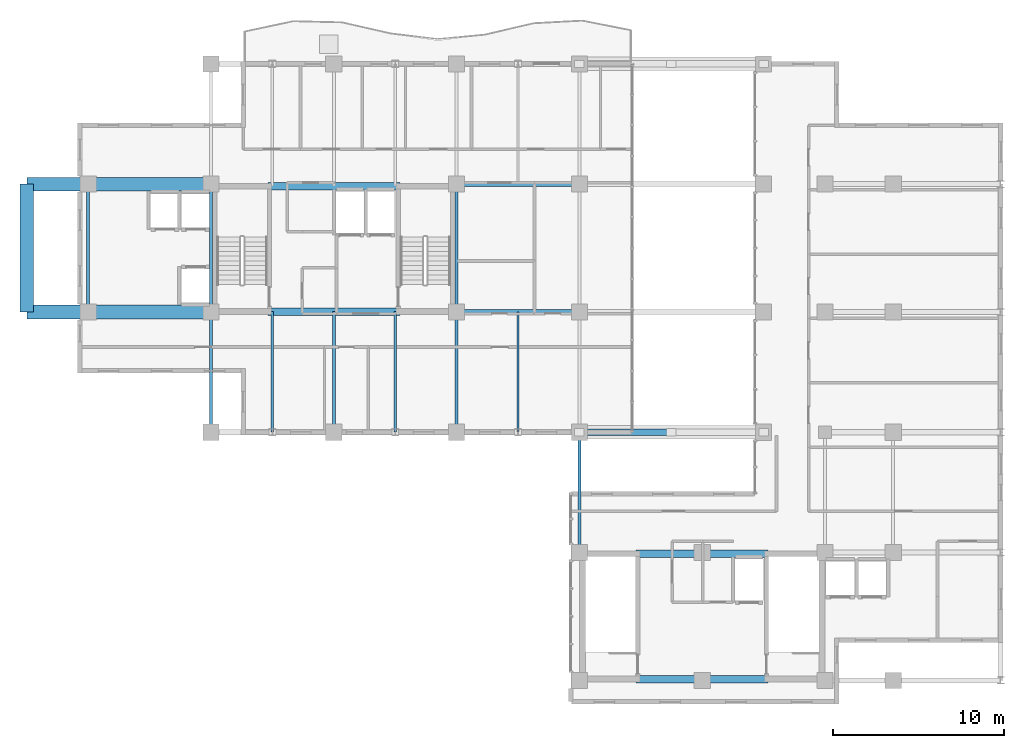
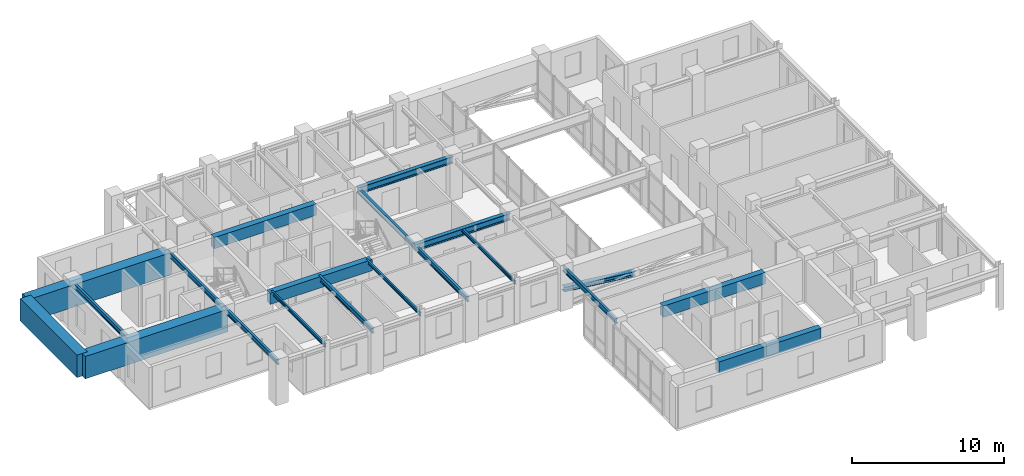
# One storey, part 7 of 23: 19 beams, 1 member.
"""IFC4 building model written with IfcOpenShell, lengths in metres."""

from ifc_helpers import new_model, si_unit, direction, frame, origin, origin_2d, place, context, subcontext, project, spatial, rectangle, i_section, extrude, source, transform, mapped, material, material_profile, profile_set, type_object, element, save


model = new_model("IFC4")

# Units and contexts
model_context = context("Model", 3, precision=1e-05, world=origin(), true_north=direction((0.0, 1.0)))
body_context = subcontext(model_context, "Body", "Model", "MODEL_VIEW")
ifc_project = project(units=[si_unit("LENGTHUNIT", "METRE"), si_unit("AREAUNIT", "SQUARE_METRE"), si_unit("VOLUMEUNIT", "CUBIC_METRE"), si_unit("PLANEANGLEUNIT", "RADIAN"), si_unit("MASSUNIT", "GRAM", prefix="KILO")], contexts=[model_context])

# Site, building, storey
site_placement = place(None, origin())
site = spatial("IfcSite", under=ifc_project, at=site_placement, CompositionType="ELEMENT")
building_placement = place(site_placement, origin())
building = spatial("IfcBuilding", under=site, at=building_placement, Name="Kaliganga Portal Commons", CompositionType="ELEMENT")
storey_placement = place(building_placement, frame((0.0, 0.0, 246.199951171875)))
storey = spatial("IfcBuildingStorey", under=building, at=storey_placement, Name="L63", CompositionType="ELEMENT", Elevation=246.199951171875)

# Beams
ifc_material_1 = material(Name="Concrete C50/60", Category="concrete")
ifc_material_profile_1 = material_profile(ifc_material_1, rectangle(XDim=0.449951171875, YDim=0.89990234375, at=origin_2d()), Name="RC 450x900")
ifc_profile_set_1 = profile_set([ifc_material_profile_1], Name="Concrete C50/60")
beam_type_1 = type_object("IfcBeamType", Name="BM-CPL-900", PredefinedType="LINTEL", material=ifc_profile_set_1)
shared_shape_1 = source(origin(), body_context, "Body", "SweptSolid", [
    extrude(rectangle(XDim=0.449951171875, YDim=0.89990234375, at=origin_2d()), origin(), (0.0, 0.0, 1.0), 7.739990234375),
])
for number, where, z_axis, x_axis, name in (
    (1, (17.72998046875, 28.675048828125, 2.830078125), (1.0, 0.0, 0.0), (0.0, 1.0, 0.0), "BM CPL COREA L63 S"),
    (2, (17.72998046875, 36.02490234375, 2.830078125), (1.0, 0.0, 0.0), (0.0, 1.0, 0.0), "BM CPL COREA L63 N"),
    (3, (39.330078125, 7.125, 2.830078125), (1.0, 0.0, 0.0), (0.0, 1.0, 0.0), "BM CPL COREB L63 S"),
    (4, (39.330078125, 14.47509765625, 2.830078125), (1.0, 0.0, 0.0), (0.0, 1.0, 0.0), "BM CPL COREB L63 N"),
):
    element("IfcBeam", number, at=place(storey_placement, frame(where, z_axis=z_axis, x_axis=x_axis)), inside=storey, type_object=beam_type_1, Name=name, PredefinedType="LINTEL", context=body_context, shape_type="MappedRepresentation", body=[
        mapped(shared_shape_1, transform((0.0, 0.0, 0.0), x_axis=(1.0, 0.0, 0.0), y_axis=(0.0, 1.0, 0.0), z_axis=(0.0, 0.0, 1.0), scale=1.0)),
    ])
ifc_material_2 = material(Name="Concrete C70/85", Category="concrete")
ifc_material_profile_2 = material_profile(ifc_material_2, rectangle(XDim=0.800048828125, YDim=1.800048828125, at=origin_2d()), Name="RC 800x1800")
ifc_profile_set_2 = profile_set([ifc_material_profile_2], Name="Concrete C70/85")
beam_type_2 = type_object("IfcBeamType", Name="BM-XFER-1800", PredefinedType="T_BEAM", material=ifc_profile_set_2)
shared_shape_2 = source(origin(), body_context, "Body", "SweptSolid", [
    extrude(rectangle(XDim=0.800048828125, YDim=1.800048828125, at=origin_2d()), origin(), (0.0, 0.0, 1.0), 7.5),
])
beam_1_placement = place(storey_placement, frame((3.60009765625, 28.64990234375, 2.380126953125), z_axis=(0.0, 1.0, 0.0), x_axis=(-1.0, 0.0, 0.0)))
element("IfcBeam", 5, at=beam_1_placement, inside=storey, type_object=beam_type_2, Name="BM PORTAL XFERWS", PredefinedType="T_BEAM", context=body_context, shape_type="MappedRepresentation", body=[
    mapped(shared_shape_2, transform((0.0, 0.0, 0.0), x_axis=(1.0, 0.0, 0.0), y_axis=(0.0, 1.0, 0.0), z_axis=(0.0, 0.0, 1.0), scale=1.0)),
])
ifc_material_3 = material(Name="Structural steel S355J2", Category="steel")
ifc_material_profile_3 = material_profile(ifc_material_3, i_section(OverallWidth=0.300048828125, OverallDepth=0.550048828125, WebThickness=0.014892578125, FlangeThickness=0.029052734375, FilletRadius=0.027099609375, at=origin_2d()), Name="HE 550 B")
ifc_profile_set_3 = profile_set([ifc_material_profile_3], Name="Structural steel S355J2 wide-flange")
beam_type_3 = type_object("IfcBeamType", Name="BM-GIRD-550", PredefinedType="USERDEFINED", material=ifc_profile_set_3)
shared_shape_3 = source(origin(), body_context, "Body", "SweptSolid", [
    extrude(i_section(OverallWidth=0.300048828125, OverallDepth=0.550048828125, WebThickness=0.014892578125, FlangeThickness=0.029052734375, FilletRadius=0.027099609375, at=origin_2d()), origin(), (0.0, 0.0, 1.0), 7.199951171875),
])
for number, where, z_axis, x_axis, name in (
    (6, (28.800048828125, 28.64990234375, 3.005126953125), (1.0, 0.0, 0.0), (0.0, 1.0, 0.0), "BM G L63 WAE_S 1"),
    (7, (28.800048828125, 36.14990234375, 3.005126953125), (1.0, 0.0, 0.0), (0.0, 1.0, 0.0), "BM G L63 WAE_N 1"),
):
    element("IfcBeam", number, at=place(storey_placement, frame(where, z_axis=z_axis, x_axis=x_axis)), inside=storey, type_object=beam_type_3, Name=name, ObjectType="GIRDER", PredefinedType="USERDEFINED", context=body_context, shape_type="MappedRepresentation", body=[
        mapped(shared_shape_3, transform((0.0, 0.0, 0.0), x_axis=(1.0, 0.0, 0.0), y_axis=(0.0, 1.0, 0.0), z_axis=(0.0, 0.0, 1.0), scale=1.0)),
    ])
ifc_material_profile_4 = material_profile(ifc_material_3, i_section(OverallWidth=0.135009765625, OverallDepth=0.27001953125, WebThickness=0.006591796875, FlangeThickness=0.01025390625, FilletRadius=0.014892578125, at=origin_2d()), Name="IPE 270")
ifc_profile_set_4 = profile_set([ifc_material_profile_4], Name="Structural steel S355J2 wide-flange")
beam_type_4 = type_object("IfcBeamType", Name="BM-JST-270", PredefinedType="JOIST", material=ifc_profile_set_4)
shared_shape_4 = source(origin(), body_context, "Body", "SweptSolid", [
    extrude(i_section(OverallWidth=0.135009765625, OverallDepth=0.27001953125, WebThickness=0.006591796875, FlangeThickness=0.01025390625, FilletRadius=0.014892578125, at=origin_2d()), origin(), (0.0, 0.0, 1.0), 7.074951171875),
])
for number, where, z_axis, x_axis, name in (
    (8, (18.0, 21.60009765625, 3.14501953125), (0.0, 1.0, 0.0), (-1.0, 0.0, 0.0), "BM G L63 AS180"),
    (9, (25.199951171875, 21.60009765625, 3.14501953125), (0.0, 1.0, 0.0), (-1.0, 0.0, 0.0), "BM G L63 AS252"),
):
    element("IfcBeam", number, at=place(storey_placement, frame(where, z_axis=z_axis, x_axis=x_axis)), inside=storey, type_object=beam_type_4, Name=name, PredefinedType="JOIST", context=body_context, shape_type="MappedRepresentation", body=[
        mapped(shared_shape_4, transform((0.0, 0.0, 0.0), x_axis=(1.0, 0.0, 0.0), y_axis=(0.0, 1.0, 0.0), z_axis=(0.0, 0.0, 1.0), scale=1.0)),
    ])
shared_shape_5 = source(origin(), body_context, "Body", "SweptSolid", [
    extrude(i_section(OverallWidth=0.135009765625, OverallDepth=0.27001953125, WebThickness=0.006591796875, FlangeThickness=0.01025390625, FilletRadius=0.014892578125, at=origin_2d()), origin(), (0.0, 0.0, 1.0), 7.0498046875),
])
beam_2_placement = place(storey_placement, frame((32.39990234375, 21.60009765625, 3.14501953125), z_axis=(0.0, 1.0, 0.0), x_axis=(-1.0, 0.0, 0.0)))
element("IfcBeam", 10, at=beam_2_placement, inside=storey, type_object=beam_type_4, Name="BM G L63 AS324", PredefinedType="JOIST", context=body_context, shape_type="MappedRepresentation", body=[
    mapped(shared_shape_5, transform((0.0, 0.0, 0.0), x_axis=(1.0, 0.0, 0.0), y_axis=(0.0, 1.0, 0.0), z_axis=(0.0, 0.0, 1.0), scale=1.0)),
])
ifc_material_profile_5 = material_profile(ifc_material_3, i_section(OverallWidth=0.179931640625, OverallDepth=0.39990234375, WebThickness=0.008544921875, FlangeThickness=0.013427734375, FilletRadius=0.02099609375, at=origin_2d()), Name="IPE 400")
ifc_profile_set_5 = profile_set([ifc_material_profile_5], Name="Structural steel S355J2 wide-flange")
beam_type_5 = type_object("IfcBeamType", Name="BM-FLR-400", PredefinedType="BEAM", material=ifc_profile_set_5)
shared_shape_6 = source(origin(), body_context, "Body", "SweptSolid", [
    extrude(i_section(OverallWidth=0.179931640625, OverallDepth=0.39990234375, WebThickness=0.008544921875, FlangeThickness=0.013427734375, FilletRadius=0.02099609375, at=origin_2d()), origin(), (0.0, 0.0, 1.0), 7.5),
])
for number, where, z_axis, x_axis, name in (
    (11, (7.199951171875, 28.64990234375, 3.080078125), (0.0, 1.0, 0.0), (-1.0, 0.0, 0.0), "BM G L63 AW72"),
    (12, (14.39990234375, 28.64990234375, 3.080078125), (0.0, 1.0, 0.0), (-1.0, 0.0, 0.0), "BM G L63 AM144"),
    (13, (28.800048828125, 28.64990234375, 3.080078125), (0.0, 1.0, 0.0), (-1.0, 0.0, 0.0), "BM G L63 AM288"),
):
    element("IfcBeam", number, at=place(storey_placement, frame(where, z_axis=z_axis, x_axis=x_axis)), inside=storey, type_object=beam_type_5, Name=name, PredefinedType="BEAM", context=body_context, shape_type="MappedRepresentation", body=[
        mapped(shared_shape_6, transform((0.0, 0.0, 0.0), x_axis=(1.0, 0.0, 0.0), y_axis=(0.0, 1.0, 0.0), z_axis=(0.0, 0.0, 1.0), scale=1.0)),
    ])
shared_shape_7 = source(origin(), body_context, "Body", "SweptSolid", [
    extrude(i_section(OverallWidth=0.179931640625, OverallDepth=0.39990234375, WebThickness=0.008544921875, FlangeThickness=0.013427734375, FilletRadius=0.02099609375, at=origin_2d()), origin(), (0.0, 0.0, 1.0), 7.050048828125),
])
beam_3_placement = place(storey_placement, frame((36.0, 14.550048828125, 3.080078125), z_axis=(0.0, 1.0, 0.0), x_axis=(-1.0, 0.0, 0.0)))
element("IfcBeam", 14, at=beam_3_placement, inside=storey, type_object=beam_type_5, Name="BM G L63 BNK360", PredefinedType="BEAM", context=body_context, shape_type="MappedRepresentation", body=[
    mapped(shared_shape_7, transform((0.0, 0.0, 0.0), x_axis=(1.0, 0.0, 0.0), y_axis=(0.0, 1.0, 0.0), z_axis=(0.0, 0.0, 1.0), scale=1.0)),
])
shared_shape_8 = source(origin(), body_context, "Body", "SweptSolid", [
    extrude(i_section(OverallWidth=0.179931640625, OverallDepth=0.39990234375, WebThickness=0.008544921875, FlangeThickness=0.013427734375, FilletRadius=0.02099609375, at=origin_2d()), origin(), (0.0, 0.0, 1.0), 7.0498046875),
])
for number, where, z_axis, x_axis, name in (
    (15, (14.39990234375, 21.60009765625, 3.080078125), (0.0, 1.0, 0.0), (-1.0, 0.0, 0.0), "BM G L63 AS144"),
    (16, (28.800048828125, 21.60009765625, 3.080078125), (0.0, 1.0, 0.0), (-1.0, 0.0, 0.0), "BM G L63 AS288"),
):
    element("IfcBeam", number, at=place(storey_placement, frame(where, z_axis=z_axis, x_axis=x_axis)), inside=storey, type_object=beam_type_5, Name=name, PredefinedType="BEAM", context=body_context, shape_type="MappedRepresentation", body=[
        mapped(shared_shape_8, transform((0.0, 0.0, 0.0), x_axis=(1.0, 0.0, 0.0), y_axis=(0.0, 1.0, 0.0), z_axis=(0.0, 0.0, 1.0), scale=1.0)),
    ])
shared_shape_9 = source(origin(), body_context, "Body", "SweptSolid", [
    extrude(i_section(OverallWidth=0.179931640625, OverallDepth=0.39990234375, WebThickness=0.008544921875, FlangeThickness=0.013427734375, FilletRadius=0.02099609375, at=origin_2d()), origin(), (0.0, 0.0, 1.0), 7.074951171875),
])
beam_4_placement = place(storey_placement, frame((21.60009765625, 21.60009765625, 3.080078125), z_axis=(0.0, 1.0, 0.0), x_axis=(-1.0, 0.0, 0.0)))
element("IfcBeam", 17, at=beam_4_placement, inside=storey, type_object=beam_type_5, Name="BM G L63 AS216", PredefinedType="BEAM", context=body_context, shape_type="MappedRepresentation", body=[
    mapped(shared_shape_9, transform((0.0, 0.0, 0.0), x_axis=(1.0, 0.0, 0.0), y_axis=(0.0, 1.0, 0.0), z_axis=(0.0, 0.0, 1.0), scale=1.0)),
])
shared_shape_10 = source(origin(), body_context, "Body", "SweptSolid", [
    extrude(rectangle(XDim=0.800048828125, YDim=1.800048828125, at=origin_2d()), origin(), (0.0, 0.0, 1.0), 10.7998046875),
])
for number, where, z_axis, x_axis, name in (
    (18, (3.60009765625, 28.64990234375, 2.380126953125), (1.0, 0.0, 0.0), (0.0, 1.0, 0.0), "BM PORTAL XFERW1"),
    (19, (3.60009765625, 36.14990234375, 2.380126953125), (1.0, 0.0, 0.0), (0.0, 1.0, 0.0), "BM PORTAL XFERW2"),
):
    element("IfcBeam", number, at=place(storey_placement, frame(where, z_axis=z_axis, x_axis=x_axis)), inside=storey, type_object=beam_type_2, Name=name, PredefinedType="T_BEAM", context=body_context, shape_type="MappedRepresentation", body=[
        mapped(shared_shape_10, transform((0.0, 0.0, 0.0), x_axis=(1.0, 0.0, 0.0), y_axis=(0.0, 1.0, 0.0), z_axis=(0.0, 0.0, 1.0), scale=1.0)),
    ])

# Member
ifc_material_4 = material(Name="Structural steel S460M", Category="steel")
ifc_material_profile_6 = material_profile(ifc_material_4, i_section(OverallWidth=0.373046875, OverallDepth=0.367919921875, WebThickness=0.013916015625, FlangeThickness=0.02392578125, FilletRadius=0.014892578125, at=origin_2d()), Name="HD 360x179")
ifc_profile_set_6 = profile_set([ifc_material_profile_6], Name="Structural steel S460M wide-flange")
member_type = type_object("IfcMemberType", Name="MBR-PORTAL-DIAG", PredefinedType="BRACE", material=ifc_profile_set_6)
shared_shape_11 = source(origin(), body_context, "Body", "SweptSolid", [
    extrude(i_section(OverallWidth=0.373046875, OverallDepth=0.367919921875, WebThickness=0.013916015625, FlangeThickness=0.02392578125, FilletRadius=0.014892578125, at=origin_2d()), origin(), (0.0, 0.0, 1.0), 5.434814453125),
])
member_placement = place(storey_placement, frame((41.39990234375, 21.60009765625, 0.81494140625), z_axis=(-0.993577047601, 0.0, 0.113157635541), x_axis=(0.0, -1.0, 0.0)))
element("IfcMember", 20, at=member_placement, inside=storey, type_object=member_type, Name="Wind Portal Split Diagonal WPD-1R2", PredefinedType="BRACE", context=body_context, shape_type="MappedRepresentation", body=[
    mapped(shared_shape_11, transform((0.0, 0.0, 0.0), x_axis=(1.0, 0.0, 0.0), y_axis=(0.0, 1.0, 0.0), z_axis=(0.0, 0.0, 1.0), scale=1.0)),
])

save(model, "model.ifc")
